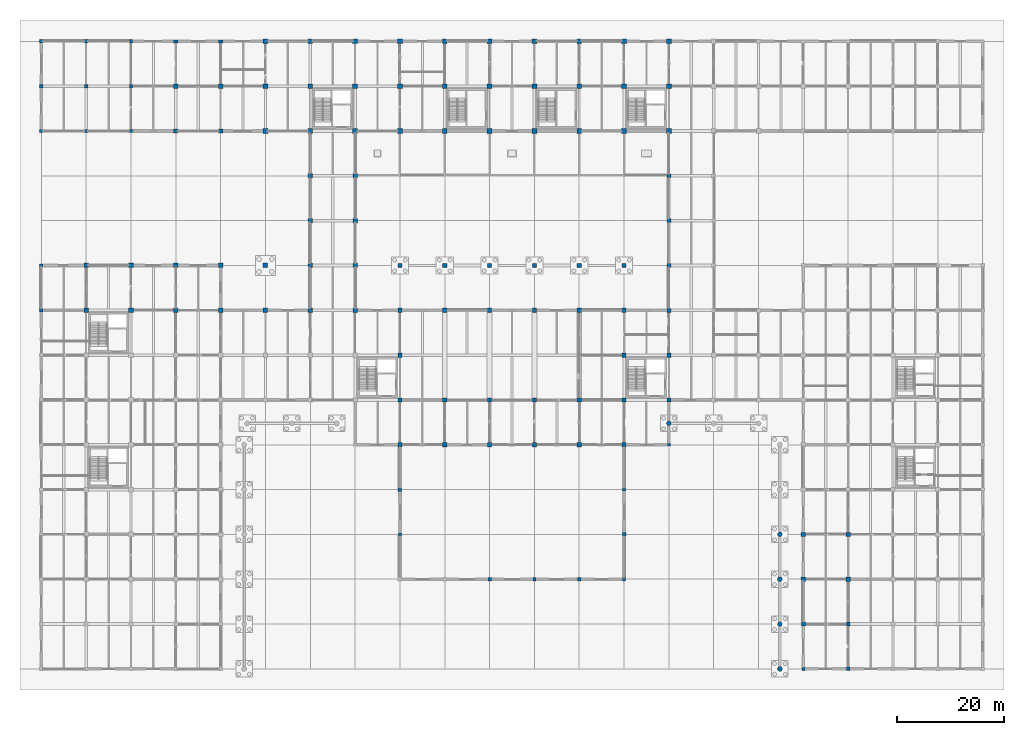
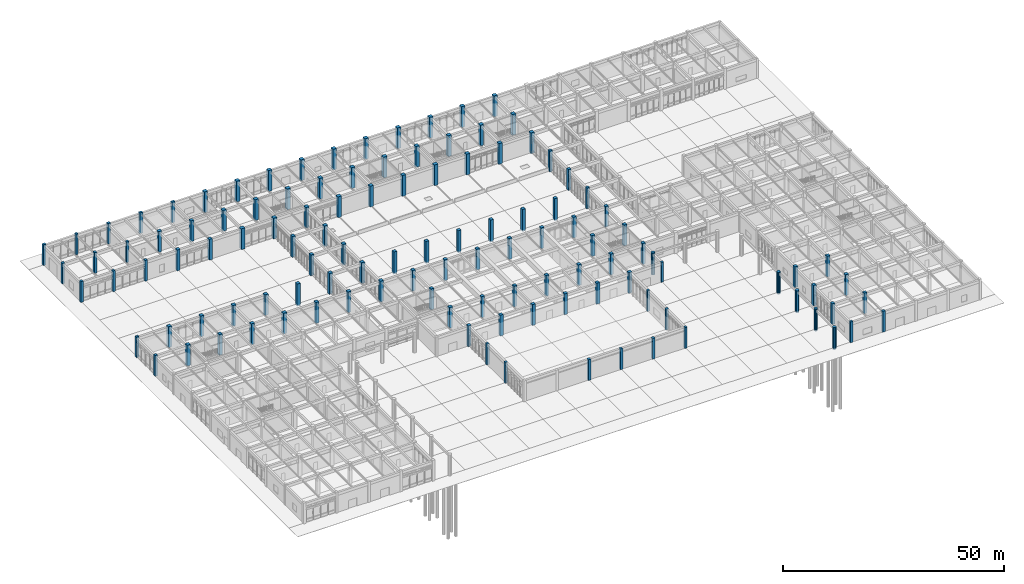
# One storey, part 2 of 91: 119 columns.
"""IFC4 building model written with IfcOpenShell, lengths in metres."""

from ifc_helpers import new_model, si_unit, direction, frame, origin, origin_2d, place, context, subcontext, project, spatial, rectangle, circle, extrude, material, material_profile, profile_set, type_object, element, save


model = new_model("IFC4")

# Units and contexts
model_context = context("Model", 3, precision=1e-05, world=origin(), true_north=direction((0.0, 1.0)))
body_context = subcontext(model_context, "Body", "Model", "MODEL_VIEW")
ifc_project = project(units=[si_unit("LENGTHUNIT", "METRE"), si_unit("AREAUNIT", "SQUARE_METRE"), si_unit("VOLUMEUNIT", "CUBIC_METRE"), si_unit("PLANEANGLEUNIT", "RADIAN"), si_unit("MASSUNIT", "GRAM", prefix="KILO")], contexts=[model_context])

# Site, building, storey
site_placement = place(None, origin())
site = spatial("IfcSite", under=ifc_project, at=site_placement, CompositionType="ELEMENT")
building_placement = place(site_placement, origin())
building = spatial("IfcBuilding", under=site, at=building_placement, Name="Porcellanite Civic Hall", CompositionType="ELEMENT")
storey_placement = place(building_placement, origin())
storey = spatial("IfcBuildingStorey", under=building, at=storey_placement, Name="L00", CompositionType="ELEMENT", Elevation=0.0)

# Columns
ifc_material_1 = material(Name="Concrete N50 (50 MPa)", Category="concrete")
ifc_material_profile_1 = material_profile(ifc_material_1, rectangle(XDim=0.550048828125, YDim=0.550048828125, at=origin_2d()), Name="RC-550x550")
ifc_profile_set_1 = profile_set([ifc_material_profile_1], Name="Concrete N50 (50 MPa)")
column_type_1 = type_object("IfcColumnType", Name="COL-550", PredefinedType="COLUMN", material=ifc_profile_set_1)
column_1_placement = place(storey_placement, frame((117.60009765625, 42.0, 0.0), z_axis=(0.0, 0.0, 1.0), x_axis=(1.0, 0.0, 0.0)))
element("IfcColumn", 1, at=column_1_placement, inside=storey, type_object=column_type_1, Name="Column L00 14-5", PredefinedType="COLUMN", context=body_context, shape_type="SweptSolid", body=[
    extrude(rectangle(XDim=0.550048828125, YDim=0.550048828125, at=origin_2d()), origin(), (0.0, 0.0, 1.0), 5.510009765625),
])
ifc_material_2 = material(Name="Concrete N50 (50 MPa)", Category="concrete")
ifc_material_profile_2 = material_profile(ifc_material_2, rectangle(XDim=0.60009765625, YDim=0.60009765625, at=origin_2d()), Name="RC-600x600")
ifc_profile_set_2 = profile_set([ifc_material_profile_2], Name="Concrete N50 (50 MPa)")
column_type_2 = type_object("IfcColumnType", Name="COL-600", PredefinedType="COLUMN", material=ifc_profile_set_2)
for number, where, z_axis, x_axis, name in (
    (2, (0.0, 75.60009765625, 0.0), (0.0, 0.0, 1.0), (1.0, 0.0, 0.0), "Column L00 0-9"),
    (3, (0.0, 109.199951171875, 0.0), (0.0, 0.0, 1.0), (1.0, 0.0, 0.0), "Column L00 0-13"),
    (4, (8.39990234375, 100.800048828125, 0.0), (0.0, 0.0, 1.0), (1.0, 0.0, 0.0), "Column L00 1-12"),
    (5, (8.39990234375, 117.60009765625, 0.0), (0.0, 0.0, 1.0), (1.0, 0.0, 0.0), "Column L00 1-14"),
    (6, (16.800048828125, 109.199951171875, 0.0), (0.0, 0.0, 1.0), (1.0, 0.0, 0.0), "Column L00 2-13"),
    (7, (67.199951171875, 25.199951171875, 0.0), (0.0, 0.0, 1.0), (1.0, 0.0, 0.0), "Column L00 8-3"),
    (8, (92.39990234375, 16.800048828125, 0.0), (0.0, 0.0, 1.0), (1.0, 0.0, 0.0), "Column L00 11-2"),
    (9, (109.199951171875, 16.800048828125, 0.0), (0.0, 0.0, 1.0), (1.0, 0.0, 0.0), "Column L00 13-2"),
    (10, (109.199951171875, 33.60009765625, 0.0), (0.0, 0.0, 1.0), (1.0, 0.0, 0.0), "Column L00 13-4"),
    (11, (142.800048828125, 0.0, 0.0), (0.0, 0.0, 1.0), (1.0, 0.0, 0.0), "Column L00 17-0"),
):
    element("IfcColumn", number, at=place(storey_placement, frame(where, z_axis=z_axis, x_axis=x_axis)), inside=storey, type_object=column_type_2, Name=name, PredefinedType="COLUMN", context=body_context, shape_type="SweptSolid", body=[
        extrude(rectangle(XDim=0.60009765625, YDim=0.60009765625, at=origin_2d()), origin(), (0.0, 0.0, 1.0), 5.760009765625),
    ])
ifc_material_3 = material(Name="Concrete N50 (50 MPa)", Category="concrete")
ifc_material_profile_3 = material_profile(ifc_material_3, rectangle(XDim=0.64990234375, YDim=0.64990234375, at=origin_2d()), Name="RC-650x650")
ifc_profile_set_3 = profile_set([ifc_material_profile_3], Name="Concrete N50 (50 MPa)")
column_type_3 = type_object("IfcColumnType", Name="COL-650", PredefinedType="COLUMN", material=ifc_profile_set_3)
for number, where, z_axis, x_axis, name in (
    (12, (0.0, 67.199951171875, 0.0), (0.0, 0.0, 1.0), (1.0, 0.0, 0.0), "Column L00 0-8"),
    (13, (0.0, 100.800048828125, 0.0), (0.0, 0.0, 1.0), (1.0, 0.0, 0.0), "Column L00 0-12"),
    (14, (0.0, 117.60009765625, 0.0), (0.0, 0.0, 1.0), (1.0, 0.0, 0.0), "Column L00 0-14"),
    (15, (8.39990234375, 109.199951171875, 0.0), (0.0, 0.0, 1.0), (1.0, 0.0, 0.0), "Column L00 1-13"),
    (16, (16.800048828125, 100.800048828125, 0.0), (0.0, 0.0, 1.0), (1.0, 0.0, 0.0), "Column L00 2-12"),
    (17, (16.800048828125, 117.60009765625, 0.0), (0.0, 0.0, 1.0), (1.0, 0.0, 0.0), "Column L00 2-14"),
    (18, (67.199951171875, 33.60009765625, 0.0), (0.0, 0.0, 1.0), (1.0, 0.0, 0.0), "Column L00 8-4"),
    (19, (84.0, 16.800048828125, 0.0), (0.0, 0.0, 1.0), (1.0, 0.0, 0.0), "Column L00 10-2"),
    (20, (100.800048828125, 16.800048828125, 0.0), (0.0, 0.0, 1.0), (1.0, 0.0, 0.0), "Column L00 12-2"),
    (21, (109.199951171875, 25.199951171875, 0.0), (0.0, 0.0, 1.0), (1.0, 0.0, 0.0), "Column L00 13-3"),
    (22, (151.199951171875, 0.0, 0.0), (0.0, 0.0, 1.0), (1.0, 0.0, 0.0), "Column L00 18-0"),
):
    element("IfcColumn", number, at=place(storey_placement, frame(where, z_axis=z_axis, x_axis=x_axis)), inside=storey, type_object=column_type_3, Name=name, PredefinedType="COLUMN", context=body_context, shape_type="SweptSolid", body=[
        extrude(rectangle(XDim=0.64990234375, YDim=0.64990234375, at=origin_2d()), origin(), (0.0, 0.0, 1.0), 5.760009765625),
    ])
ifc_material_4 = material(Name="Concrete N50 (50 MPa)", Category="concrete")
ifc_material_profile_4 = material_profile(ifc_material_4, rectangle(XDim=0.699951171875, YDim=0.699951171875, at=origin_2d()), Name="RC-700x700")
ifc_profile_set_4 = profile_set([ifc_material_profile_4], Name="Concrete N50 (50 MPa)")
column_type_4 = type_object("IfcColumnType", Name="COL-700", PredefinedType="COLUMN", material=ifc_profile_set_4)
for number, where, z_axis, x_axis, name in (
    (23, (117.60009765625, 75.60009765625, 0.0), (0.0, 0.0, 1.0), (1.0, 0.0, 0.0), "Column L00 14-9"),
    (24, (117.60009765625, 92.39990234375, 0.0), (0.0, 0.0, 1.0), (1.0, 0.0, 0.0), "Column L00 14-11"),
    (25, (151.199951171875, 8.39990234375, 0.0), (0.0, 0.0, 1.0), (1.0, 0.0, 0.0), "Column L00 18-1"),
):
    element("IfcColumn", number, at=place(storey_placement, frame(where, z_axis=z_axis, x_axis=x_axis)), inside=storey, type_object=column_type_4, Name=name, PredefinedType="COLUMN", context=body_context, shape_type="SweptSolid", body=[
        extrude(rectangle(XDim=0.699951171875, YDim=0.699951171875, at=origin_2d()), origin(), (0.0, 0.0, 1.0), 5.760009765625),
    ])
ifc_material_5 = material(Name="Concrete N50 (50 MPa)", Category="concrete")
ifc_material_profile_5 = material_profile(ifc_material_5, rectangle(XDim=0.75, YDim=0.75, at=origin_2d()), Name="RC-750x750")
ifc_profile_set_5 = profile_set([ifc_material_profile_5], Name="Concrete N50 (50 MPa)")
column_type_5 = type_object("IfcColumnType", Name="COL-750", PredefinedType="COLUMN", material=ifc_profile_set_5)
for number, where, z_axis, x_axis, name in (
    (26, (117.60009765625, 67.199951171875, 0.0), (0.0, 0.0, 1.0), (1.0, 0.0, 0.0), "Column L00 14-8"),
    (27, (117.60009765625, 84.0, 0.0), (0.0, 0.0, 1.0), (1.0, 0.0, 0.0), "Column L00 14-10"),
    (28, (142.800048828125, 8.39990234375, 0.0), (0.0, 0.0, 1.0), (1.0, 0.0, 0.0), "Column L00 17-1"),
):
    element("IfcColumn", number, at=place(storey_placement, frame(where, z_axis=z_axis, x_axis=x_axis)), inside=storey, type_object=column_type_5, Name=name, PredefinedType="COLUMN", context=body_context, shape_type="SweptSolid", body=[
        extrude(rectangle(XDim=0.75, YDim=0.75, at=origin_2d()), origin(), (0.0, 0.0, 1.0), 5.760009765625),
    ])
ifc_material_6 = material(Name="Concrete N50 (50 MPa)", Category="concrete")
ifc_material_profile_6 = material_profile(ifc_material_6, rectangle(XDim=0.800048828125, YDim=0.800048828125, at=origin_2d()), Name="RC-800x800")
ifc_profile_set_6 = profile_set([ifc_material_profile_6], Name="Concrete N50 (50 MPa)")
column_type_6 = type_object("IfcColumnType", Name="COL-800", PredefinedType="COLUMN", material=ifc_profile_set_6)
for number, where, z_axis, x_axis, name in (
    (29, (25.199951171875, 100.800048828125, 0.0), (0.0, 0.0, 1.0), (1.0, 0.0, 0.0), "Column L00 3-12"),
    (30, (25.199951171875, 109.199951171875, 0.0), (0.0, 0.0, 1.0), (1.0, 0.0, 0.0), "Column L00 3-13"),
    (31, (33.60009765625, 100.800048828125, 0.0), (0.0, 0.0, 1.0), (1.0, 0.0, 0.0), "Column L00 4-12"),
    (32, (33.60009765625, 109.199951171875, 0.0), (0.0, 0.0, 1.0), (1.0, 0.0, 0.0), "Column L00 4-13"),
    (33, (67.199951171875, 42.0, 0.0), (0.0, 0.0, 1.0), (1.0, 0.0, 0.0), "Column L00 8-5"),
    (34, (67.199951171875, 50.39990234375, 0.0), (0.0, 0.0, 1.0), (1.0, 0.0, 0.0), "Column L00 8-6"),
    (35, (67.199951171875, 58.800048828125, 0.0), (0.0, 0.0, 1.0), (1.0, 0.0, 0.0), "Column L00 8-7"),
    (36, (67.199951171875, 67.199951171875, 0.0), (0.0, 0.0, 1.0), (1.0, 0.0, 0.0), "Column L00 8-8"),
):
    element("IfcColumn", number, at=place(storey_placement, frame(where, z_axis=z_axis, x_axis=x_axis)), inside=storey, type_object=column_type_6, Name=name, PredefinedType="COLUMN", context=body_context, shape_type="SweptSolid", body=[
        extrude(rectangle(XDim=0.800048828125, YDim=0.800048828125, at=origin_2d()), origin(), (0.0, 0.0, 1.0), 5.760009765625),
    ])
column_2_placement = place(storey_placement, frame((67.199951171875, 75.60009765625, -0.35009765625), z_axis=(0.0, 0.0, 1.0), x_axis=(1.0, 0.0, 0.0)))
element("IfcColumn", 37, at=column_2_placement, inside=storey, type_object=column_type_6, Name="Column L00 8-9", PredefinedType="COLUMN", context=body_context, shape_type="SweptSolid", body=[
    extrude(rectangle(XDim=0.800048828125, YDim=0.800048828125, at=origin_2d()), origin(), (0.0, 0.0, 1.0), 6.110107421875),
])
for number, where, z_axis, x_axis, name in (
    (38, (75.60009765625, 42.0, 0.0), (0.0, 0.0, 1.0), (1.0, 0.0, 0.0), "Column L00 9-5"),
    (39, (75.60009765625, 50.39990234375, 0.0), (0.0, 0.0, 1.0), (1.0, 0.0, 0.0), "Column L00 9-6"),
    (40, (75.60009765625, 67.199951171875, 0.0), (0.0, 0.0, 1.0), (1.0, 0.0, 0.0), "Column L00 9-8"),
):
    element("IfcColumn", number, at=place(storey_placement, frame(where, z_axis=z_axis, x_axis=x_axis)), inside=storey, type_object=column_type_6, Name=name, PredefinedType="COLUMN", context=body_context, shape_type="SweptSolid", body=[
        extrude(rectangle(XDim=0.800048828125, YDim=0.800048828125, at=origin_2d()), origin(), (0.0, 0.0, 1.0), 5.760009765625),
    ])
column_3_placement = place(storey_placement, frame((75.60009765625, 75.60009765625, -0.35009765625), z_axis=(0.0, 0.0, 1.0), x_axis=(1.0, 0.0, 0.0)))
element("IfcColumn", 41, at=column_3_placement, inside=storey, type_object=column_type_6, Name="Column L00 9-9", PredefinedType="COLUMN", context=body_context, shape_type="SweptSolid", body=[
    extrude(rectangle(XDim=0.800048828125, YDim=0.800048828125, at=origin_2d()), origin(), (0.0, 0.0, 1.0), 6.110107421875),
])
for number, where, z_axis, x_axis, name in (
    (42, (84.0, 42.0, 0.0), (0.0, 0.0, 1.0), (1.0, 0.0, 0.0), "Column L00 10-5"),
    (43, (84.0, 50.39990234375, 0.0), (0.0, 0.0, 1.0), (1.0, 0.0, 0.0), "Column L00 10-6"),
    (44, (84.0, 67.199951171875, 0.0), (0.0, 0.0, 1.0), (1.0, 0.0, 0.0), "Column L00 10-8"),
):
    element("IfcColumn", number, at=place(storey_placement, frame(where, z_axis=z_axis, x_axis=x_axis)), inside=storey, type_object=column_type_6, Name=name, PredefinedType="COLUMN", context=body_context, shape_type="SweptSolid", body=[
        extrude(rectangle(XDim=0.800048828125, YDim=0.800048828125, at=origin_2d()), origin(), (0.0, 0.0, 1.0), 5.760009765625),
    ])
column_4_placement = place(storey_placement, frame((84.0, 75.60009765625, -0.35009765625), z_axis=(0.0, 0.0, 1.0), x_axis=(1.0, 0.0, 0.0)))
element("IfcColumn", 45, at=column_4_placement, inside=storey, type_object=column_type_6, Name="Column L00 10-9", PredefinedType="COLUMN", context=body_context, shape_type="SweptSolid", body=[
    extrude(rectangle(XDim=0.800048828125, YDim=0.800048828125, at=origin_2d()), origin(), (0.0, 0.0, 1.0), 6.110107421875),
])
for number, where, z_axis, x_axis, name in (
    (46, (92.39990234375, 42.0, 0.0), (0.0, 0.0, 1.0), (1.0, 0.0, 0.0), "Column L00 11-5"),
    (47, (92.39990234375, 50.39990234375, 0.0), (0.0, 0.0, 1.0), (1.0, 0.0, 0.0), "Column L00 11-6"),
    (48, (92.39990234375, 67.199951171875, 0.0), (0.0, 0.0, 1.0), (1.0, 0.0, 0.0), "Column L00 11-8"),
):
    element("IfcColumn", number, at=place(storey_placement, frame(where, z_axis=z_axis, x_axis=x_axis)), inside=storey, type_object=column_type_6, Name=name, PredefinedType="COLUMN", context=body_context, shape_type="SweptSolid", body=[
        extrude(rectangle(XDim=0.800048828125, YDim=0.800048828125, at=origin_2d()), origin(), (0.0, 0.0, 1.0), 5.760009765625),
    ])
column_5_placement = place(storey_placement, frame((92.39990234375, 75.60009765625, -0.35009765625), z_axis=(0.0, 0.0, 1.0), x_axis=(1.0, 0.0, 0.0)))
element("IfcColumn", 49, at=column_5_placement, inside=storey, type_object=column_type_6, Name="Column L00 11-9", PredefinedType="COLUMN", context=body_context, shape_type="SweptSolid", body=[
    extrude(rectangle(XDim=0.800048828125, YDim=0.800048828125, at=origin_2d()), origin(), (0.0, 0.0, 1.0), 6.110107421875),
])
for number, where, z_axis, x_axis, name in (
    (50, (100.800048828125, 42.0, 0.0), (0.0, 0.0, 1.0), (1.0, 0.0, 0.0), "Column L00 12-5"),
    (51, (100.800048828125, 50.39990234375, 0.0), (0.0, 0.0, 1.0), (1.0, 0.0, 0.0), "Column L00 12-6"),
    (52, (100.800048828125, 67.199951171875, 0.0), (0.0, 0.0, 1.0), (1.0, 0.0, 0.0), "Column L00 12-8"),
):
    element("IfcColumn", number, at=place(storey_placement, frame(where, z_axis=z_axis, x_axis=x_axis)), inside=storey, type_object=column_type_6, Name=name, PredefinedType="COLUMN", context=body_context, shape_type="SweptSolid", body=[
        extrude(rectangle(XDim=0.800048828125, YDim=0.800048828125, at=origin_2d()), origin(), (0.0, 0.0, 1.0), 5.760009765625),
    ])
column_6_placement = place(storey_placement, frame((100.800048828125, 75.60009765625, -0.35009765625), z_axis=(0.0, 0.0, 1.0), x_axis=(1.0, 0.0, 0.0)))
element("IfcColumn", 53, at=column_6_placement, inside=storey, type_object=column_type_6, Name="Column L00 12-9", PredefinedType="COLUMN", context=body_context, shape_type="SweptSolid", body=[
    extrude(rectangle(XDim=0.800048828125, YDim=0.800048828125, at=origin_2d()), origin(), (0.0, 0.0, 1.0), 6.110107421875),
])
for number, where, z_axis, x_axis, name in (
    (54, (109.199951171875, 42.0, 0.0), (0.0, 0.0, 1.0), (1.0, 0.0, 0.0), "Column L00 13-5"),
    (55, (109.199951171875, 50.39990234375, 0.0), (0.0, 0.0, 1.0), (1.0, 0.0, 0.0), "Column L00 13-6"),
    (56, (109.199951171875, 58.800048828125, 0.0), (0.0, 0.0, 1.0), (1.0, 0.0, 0.0), "Column L00 13-7"),
    (57, (109.199951171875, 67.199951171875, 0.0), (0.0, 0.0, 1.0), (1.0, 0.0, 0.0), "Column L00 13-8"),
):
    element("IfcColumn", number, at=place(storey_placement, frame(where, z_axis=z_axis, x_axis=x_axis)), inside=storey, type_object=column_type_6, Name=name, PredefinedType="COLUMN", context=body_context, shape_type="SweptSolid", body=[
        extrude(rectangle(XDim=0.800048828125, YDim=0.800048828125, at=origin_2d()), origin(), (0.0, 0.0, 1.0), 5.760009765625),
    ])
column_7_placement = place(storey_placement, frame((109.199951171875, 75.60009765625, -0.35009765625), z_axis=(0.0, 0.0, 1.0), x_axis=(1.0, 0.0, 0.0)))
element("IfcColumn", 58, at=column_7_placement, inside=storey, type_object=column_type_6, Name="Column L00 13-9", PredefinedType="COLUMN", context=body_context, shape_type="SweptSolid", body=[
    extrude(rectangle(XDim=0.800048828125, YDim=0.800048828125, at=origin_2d()), origin(), (0.0, 0.0, 1.0), 6.110107421875),
])
for number, where, z_axis, x_axis, name in (
    (59, (117.60009765625, 50.39990234375, 0.0), (0.0, 0.0, 1.0), (1.0, 0.0, 0.0), "Column L00 14-6"),
    (60, (117.60009765625, 58.800048828125, 0.0), (0.0, 0.0, 1.0), (1.0, 0.0, 0.0), "Column L00 14-7"),
    (61, (142.800048828125, 16.800048828125, 0.0), (0.0, 0.0, 1.0), (1.0, 0.0, 0.0), "Column L00 17-2"),
    (62, (142.800048828125, 25.199951171875, 0.0), (0.0, 0.0, 1.0), (1.0, 0.0, 0.0), "Column L00 17-3"),
    (63, (151.199951171875, 16.800048828125, 0.0), (0.0, 0.0, 1.0), (1.0, 0.0, 0.0), "Column L00 18-2"),
    (64, (151.199951171875, 25.199951171875, 0.0), (0.0, 0.0, 1.0), (1.0, 0.0, 0.0), "Column L00 18-3"),
):
    element("IfcColumn", number, at=place(storey_placement, frame(where, z_axis=z_axis, x_axis=x_axis)), inside=storey, type_object=column_type_6, Name=name, PredefinedType="COLUMN", context=body_context, shape_type="SweptSolid", body=[
        extrude(rectangle(XDim=0.800048828125, YDim=0.800048828125, at=origin_2d()), origin(), (0.0, 0.0, 1.0), 5.760009765625),
    ])
ifc_material_7 = material(Name="Concrete N50 (50 MPa)", Category="concrete")
ifc_material_profile_7 = material_profile(ifc_material_7, rectangle(XDim=0.800048828125, YDim=0.550048828125, at=origin_2d()), Name="RC-800x550")
ifc_profile_set_7 = profile_set([ifc_material_profile_7], Name="Concrete N50 (50 MPa)")
column_type_7 = type_object("IfcColumnType", Name="COL-800x550", PredefinedType="COLUMN", material=ifc_profile_set_7)
for number, where, z_axis, x_axis, name in (
    (65, (25.199951171875, 117.60009765625, 0.0), (0.0, 0.0, 1.0), (1.0, 0.0, 0.0), "Column L00 3-14"),
    (66, (33.60009765625, 117.60009765625, 0.0), (0.0, 0.0, 1.0), (1.0, 0.0, 0.0), "Column L00 4-14"),
):
    element("IfcColumn", number, at=place(storey_placement, frame(where, z_axis=z_axis, x_axis=x_axis)), inside=storey, type_object=column_type_7, Name=name, PredefinedType="COLUMN", context=body_context, shape_type="SweptSolid", body=[
        extrude(rectangle(XDim=0.800048828125, YDim=0.550048828125, at=origin_2d()), origin(), (0.0, 0.0, 1.0), 5.760009765625),
    ])
ifc_material_8 = material(Name="Concrete N50 (50 MPa)", Category="concrete")
ifc_material_profile_8 = material_profile(ifc_material_8, rectangle(XDim=0.85009765625, YDim=0.85009765625, at=origin_2d()), Name="RC-850x850")
ifc_profile_set_8 = profile_set([ifc_material_profile_8], Name="Concrete N50 (50 MPa)")
column_type_8 = type_object("IfcColumnType", Name="COL-850", PredefinedType="COLUMN", material=ifc_profile_set_8)
for number, where, z_axis, x_axis, name in (
    (67, (8.39990234375, 67.199951171875, 0.0), (0.0, 0.0, 1.0), (1.0, 0.0, 0.0), "Column L00 1-8"),
    (68, (8.39990234375, 75.60009765625, 0.0), (0.0, 0.0, 1.0), (1.0, 0.0, 0.0), "Column L00 1-9"),
    (69, (16.800048828125, 67.199951171875, 0.0), (0.0, 0.0, 1.0), (1.0, 0.0, 0.0), "Column L00 2-8"),
    (70, (16.800048828125, 75.60009765625, 0.0), (0.0, 0.0, 1.0), (1.0, 0.0, 0.0), "Column L00 2-9"),
    (71, (25.199951171875, 67.199951171875, 0.0), (0.0, 0.0, 1.0), (1.0, 0.0, 0.0), "Column L00 3-8"),
    (72, (25.199951171875, 75.60009765625, 0.0), (0.0, 0.0, 1.0), (1.0, 0.0, 0.0), "Column L00 3-9"),
    (73, (33.60009765625, 67.199951171875, 0.0), (0.0, 0.0, 1.0), (1.0, 0.0, 0.0), "Column L00 4-8"),
    (74, (33.60009765625, 75.60009765625, 0.0), (0.0, 0.0, 1.0), (1.0, 0.0, 0.0), "Column L00 4-9"),
    (75, (42.0, 67.199951171875, 0.0), (0.0, 0.0, 1.0), (1.0, 0.0, 0.0), "Column L00 5-8"),
):
    element("IfcColumn", number, at=place(storey_placement, frame(where, z_axis=z_axis, x_axis=x_axis)), inside=storey, type_object=column_type_8, Name=name, PredefinedType="COLUMN", context=body_context, shape_type="SweptSolid", body=[
        extrude(rectangle(XDim=0.85009765625, YDim=0.85009765625, at=origin_2d()), origin(), (0.0, 0.0, 1.0), 5.760009765625),
    ])
column_8_placement = place(storey_placement, frame((42.0, 75.60009765625, -0.35009765625), z_axis=(0.0, 0.0, 1.0), x_axis=(1.0, 0.0, 0.0)))
element("IfcColumn", 76, at=column_8_placement, inside=storey, type_object=column_type_8, Name="Column L00 5-9", PredefinedType="COLUMN", context=body_context, shape_type="SweptSolid", body=[
    extrude(rectangle(XDim=0.85009765625, YDim=0.85009765625, at=origin_2d()), origin(), (0.0, 0.0, 1.0), 6.110107421875),
])
for number, where, z_axis, x_axis, name in (
    (77, (50.39990234375, 67.199951171875, 0.0), (0.0, 0.0, 1.0), (1.0, 0.0, 0.0), "Column L00 6-8"),
    (78, (50.39990234375, 75.60009765625, 0.0), (0.0, 0.0, 1.0), (1.0, 0.0, 0.0), "Column L00 6-9"),
    (79, (50.39990234375, 84.0, 0.0), (0.0, 0.0, 1.0), (1.0, 0.0, 0.0), "Column L00 6-10"),
    (80, (50.39990234375, 92.39990234375, 0.0), (0.0, 0.0, 1.0), (1.0, 0.0, 0.0), "Column L00 6-11"),
    (81, (58.800048828125, 67.199951171875, 0.0), (0.0, 0.0, 1.0), (1.0, 0.0, 0.0), "Column L00 7-8"),
    (82, (58.800048828125, 75.60009765625, 0.0), (0.0, 0.0, 1.0), (1.0, 0.0, 0.0), "Column L00 7-9"),
    (83, (58.800048828125, 84.0, 0.0), (0.0, 0.0, 1.0), (1.0, 0.0, 0.0), "Column L00 7-10"),
    (84, (58.800048828125, 92.39990234375, 0.0), (0.0, 0.0, 1.0), (1.0, 0.0, 0.0), "Column L00 7-11"),
):
    element("IfcColumn", number, at=place(storey_placement, frame(where, z_axis=z_axis, x_axis=x_axis)), inside=storey, type_object=column_type_8, Name=name, PredefinedType="COLUMN", context=body_context, shape_type="SweptSolid", body=[
        extrude(rectangle(XDim=0.85009765625, YDim=0.85009765625, at=origin_2d()), origin(), (0.0, 0.0, 1.0), 5.760009765625),
    ])
ifc_material_9 = material(Name="Concrete N50 (50 MPa)", Category="concrete")
ifc_material_profile_9 = material_profile(ifc_material_9, rectangle(XDim=0.89990234375, YDim=0.89990234375, at=origin_2d()), Name="RC-900x900")
ifc_profile_set_9 = profile_set([ifc_material_profile_9], Name="Concrete N50 (50 MPa)")
column_type_9 = type_object("IfcColumnType", Name="COL-900", PredefinedType="COLUMN", material=ifc_profile_set_9)
for number, where, z_axis, x_axis, name in (
    (85, (42.0, 100.800048828125, 0.0), (0.0, 0.0, 1.0), (1.0, 0.0, 0.0), "Column L00 5-12"),
    (86, (42.0, 109.199951171875, 0.0), (0.0, 0.0, 1.0), (1.0, 0.0, 0.0), "Column L00 5-13"),
    (87, (42.0, 117.60009765625, 0.0), (0.0, 0.0, 1.0), (1.0, 0.0, 0.0), "Column L00 5-14"),
    (88, (50.39990234375, 100.800048828125, 0.0), (0.0, 0.0, 1.0), (1.0, 0.0, 0.0), "Column L00 6-12"),
    (89, (50.39990234375, 109.199951171875, 0.0), (0.0, 0.0, 1.0), (1.0, 0.0, 0.0), "Column L00 6-13"),
    (90, (50.39990234375, 117.60009765625, 0.0), (0.0, 0.0, 1.0), (1.0, 0.0, 0.0), "Column L00 6-14"),
    (91, (58.800048828125, 100.800048828125, 0.0), (0.0, 0.0, 1.0), (1.0, 0.0, 0.0), "Column L00 7-12"),
    (92, (58.800048828125, 109.199951171875, 0.0), (0.0, 0.0, 1.0), (1.0, 0.0, 0.0), "Column L00 7-13"),
    (93, (58.800048828125, 117.60009765625, 0.0), (0.0, 0.0, 1.0), (1.0, 0.0, 0.0), "Column L00 7-14"),
    (94, (67.199951171875, 100.800048828125, 0.0), (0.0, 0.0, 1.0), (1.0, 0.0, 0.0), "Column L00 8-12"),
    (95, (67.199951171875, 109.199951171875, 0.0), (0.0, 0.0, 1.0), (1.0, 0.0, 0.0), "Column L00 8-13"),
    (96, (67.199951171875, 117.60009765625, 0.0), (0.0, 0.0, 1.0), (1.0, 0.0, 0.0), "Column L00 8-14"),
    (97, (75.60009765625, 100.800048828125, 0.0), (0.0, 0.0, 1.0), (1.0, 0.0, 0.0), "Column L00 9-12"),
    (98, (75.60009765625, 109.199951171875, 0.0), (0.0, 0.0, 1.0), (1.0, 0.0, 0.0), "Column L00 9-13"),
    (99, (75.60009765625, 117.60009765625, 0.0), (0.0, 0.0, 1.0), (1.0, 0.0, 0.0), "Column L00 9-14"),
    (100, (84.0, 100.800048828125, 0.0), (0.0, 0.0, 1.0), (1.0, 0.0, 0.0), "Column L00 10-12"),
    (101, (84.0, 109.199951171875, 0.0), (0.0, 0.0, 1.0), (1.0, 0.0, 0.0), "Column L00 10-13"),
    (102, (84.0, 117.60009765625, 0.0), (0.0, 0.0, 1.0), (1.0, 0.0, 0.0), "Column L00 10-14"),
    (103, (92.39990234375, 100.800048828125, 0.0), (0.0, 0.0, 1.0), (1.0, 0.0, 0.0), "Column L00 11-12"),
    (104, (92.39990234375, 109.199951171875, 0.0), (0.0, 0.0, 1.0), (1.0, 0.0, 0.0), "Column L00 11-13"),
    (105, (92.39990234375, 117.60009765625, 0.0), (0.0, 0.0, 1.0), (1.0, 0.0, 0.0), "Column L00 11-14"),
    (106, (100.800048828125, 100.800048828125, 0.0), (0.0, 0.0, 1.0), (1.0, 0.0, 0.0), "Column L00 12-12"),
    (107, (100.800048828125, 109.199951171875, 0.0), (0.0, 0.0, 1.0), (1.0, 0.0, 0.0), "Column L00 12-13"),
    (108, (100.800048828125, 117.60009765625, 0.0), (0.0, 0.0, 1.0), (1.0, 0.0, 0.0), "Column L00 12-14"),
    (109, (109.199951171875, 100.800048828125, 0.0), (0.0, 0.0, 1.0), (1.0, 0.0, 0.0), "Column L00 13-12"),
    (110, (109.199951171875, 109.199951171875, 0.0), (0.0, 0.0, 1.0), (1.0, 0.0, 0.0), "Column L00 13-13"),
    (111, (109.199951171875, 117.60009765625, 0.0), (0.0, 0.0, 1.0), (1.0, 0.0, 0.0), "Column L00 13-14"),
    (112, (117.60009765625, 100.800048828125, 0.0), (0.0, 0.0, 1.0), (1.0, 0.0, 0.0), "Column L00 14-12"),
    (113, (117.60009765625, 109.199951171875, 0.0), (0.0, 0.0, 1.0), (1.0, 0.0, 0.0), "Column L00 14-13"),
    (114, (117.60009765625, 117.60009765625, 0.0), (0.0, 0.0, 1.0), (1.0, 0.0, 0.0), "Column L00 14-14"),
):
    element("IfcColumn", number, at=place(storey_placement, frame(where, z_axis=z_axis, x_axis=x_axis)), inside=storey, type_object=column_type_9, Name=name, PredefinedType="COLUMN", context=body_context, shape_type="SweptSolid", body=[
        extrude(rectangle(XDim=0.89990234375, YDim=0.89990234375, at=origin_2d()), origin(), (0.0, 0.0, 1.0), 5.760009765625),
    ])
ifc_material_10 = material(Name="Concrete N50 (50 MPa)", Category="concrete")
ifc_material_profile_10 = material_profile(ifc_material_10, circle(Radius=0.425048828125, at=origin_2d()), Name="RC-D850")
ifc_profile_set_10 = profile_set([ifc_material_profile_10], Name="Concrete N50 (50 MPa)")
column_type_10 = type_object("IfcColumnType", Name="PIER-D850", PredefinedType="PILASTER", material=ifc_profile_set_10)
for number, where, z_axis, x_axis, name in (
    (115, (138.39990234375, 8.39990234375, -0.35009765625), (0.0, 0.0, 1.0), (1.0, 0.0, 0.0), "Colonnade pier L00 COL-E-P02"),
    (116, (138.39990234375, 25.199951171875, -0.35009765625), (0.0, 0.0, 1.0), (1.0, 0.0, 0.0), "Colonnade pier L00 COL-E-P04"),
    (117, (117.60009765625, 46.0, -0.35009765625), (0.0, 0.0, 1.0), (1.0, 0.0, 0.0), "Colonnade pier L00 COL-NE-P01"),
):
    element("IfcColumn", number, at=place(storey_placement, frame(where, z_axis=z_axis, x_axis=x_axis)), inside=storey, type_object=column_type_10, Name=name, PredefinedType="PILASTER", context=body_context, shape_type="SweptSolid", body=[
        extrude(circle(Radius=0.425048828125, at=origin_2d()), origin(), (0.0, 0.0, 1.0), 6.110107421875),
    ])
ifc_material_11 = material(Name="Concrete N50 (50 MPa)", Category="concrete")
ifc_material_profile_11 = material_profile(ifc_material_11, circle(Radius=0.449951171875, at=origin_2d()), Name="RC-D900")
ifc_profile_set_11 = profile_set([ifc_material_profile_11], Name="Concrete N50 (50 MPa)")
column_type_11 = type_object("IfcColumnType", Name="PIER-D900", PredefinedType="PILASTER", material=ifc_profile_set_11)
for number, where, z_axis, x_axis, name in (
    (118, (138.39990234375, 0.0, -0.35009765625), (0.0, 0.0, 1.0), (1.0, 0.0, 0.0), "Colonnade pier L00 COL-E-P01"),
    (119, (138.39990234375, 16.800048828125, -0.35009765625), (0.0, 0.0, 1.0), (1.0, 0.0, 0.0), "Colonnade pier L00 COL-E-P03"),
):
    element("IfcColumn", number, at=place(storey_placement, frame(where, z_axis=z_axis, x_axis=x_axis)), inside=storey, type_object=column_type_11, Name=name, PredefinedType="PILASTER", context=body_context, shape_type="SweptSolid", body=[
        extrude(circle(Radius=0.449951171875, at=origin_2d()), origin(), (0.0, 0.0, 1.0), 6.110107421875),
    ])

save(model, "model.ifc")
